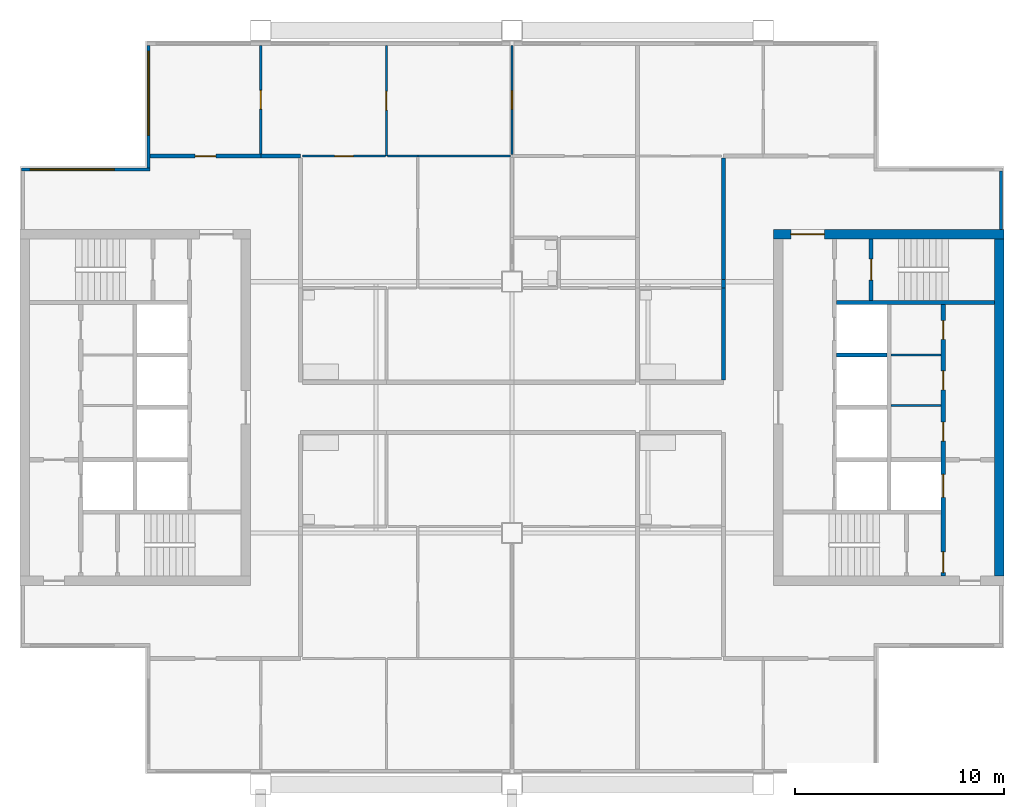
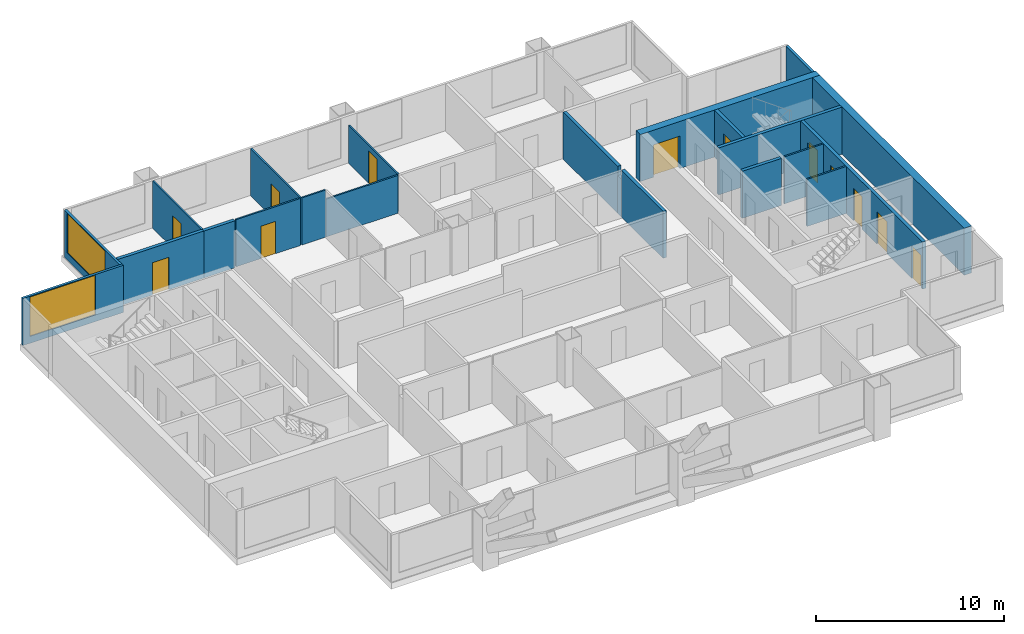
# One storey, part 5 of 8: 22 walls, 12 doors, 2 windows, 14 openings.
"""IFC4 building model written with IfcOpenShell, lengths in metres."""

from ifc_helpers import new_model, si_unit, direction, frame, frame_2d, origin, place, context, subcontext, project, spatial, rectangle, extrude, material, layer, layer_set, type_object, element, fill, save


model = new_model("IFC4")

# Units and contexts
model_context = context("Model", 3, precision=1e-05, world=origin(), true_north=direction((0.0, 1.0)))
body_context = subcontext(model_context, "Body", "Model", "MODEL_VIEW")
ifc_project = project(units=[si_unit("LENGTHUNIT", "METRE"), si_unit("AREAUNIT", "SQUARE_METRE"), si_unit("VOLUMEUNIT", "CUBIC_METRE"), si_unit("PLANEANGLEUNIT", "RADIAN"), si_unit("MASSUNIT", "GRAM", prefix="KILO")], contexts=[model_context])

# Site, building, storey
site_placement = place(None, origin())
site = spatial("IfcSite", under=ifc_project, at=site_placement, CompositionType="ELEMENT")
building_placement = place(site_placement, origin())
building = spatial("IfcBuilding", under=site, at=building_placement, Name="Kitamizu Gate Tower and Museum", CompositionType="ELEMENT")
storey_placement = place(building_placement, frame((0.0, 0.0, 266.25)))
storey = spatial("IfcBuildingStorey", under=building, at=storey_placement, Name="L72", CompositionType="ELEMENT", Elevation=266.25)

# Wall, opening, door
ifc_material_1 = material(Name="Concrete Fc42", Category="concrete")
ifc_layer_1 = layer(ifc_material_1, 0.449951171875)
ifc_layer_set_1 = layer_set([ifc_layer_1], Name="Concrete Fc42")
wall_type_1 = type_object("IfcWallType", Name="Core wall 450 EI 90", PredefinedType="SHEAR", material=ifc_layer_set_1)
wall_1_placement = place(storey_placement, frame((59.5, 38.27490234375, 0.0), z_axis=(0.0, 0.0, 1.0), x_axis=(-1.0, 0.0, 0.0)))
wall_1 = element("IfcWall", 1, at=wall_1_placement, inside=storey, type_object=wall_type_1, Name="Core wall EN", PredefinedType="SHEAR", context=body_context, shape_type="SweptSolid", body=[
    extrude(rectangle(XDim=11.0, YDim=0.449951171875, at=frame_2d((5.5, 0.0))), origin(), (0.0, 0.0, 1.0), 3.050048828125),
])
opening_1_placement = place(wall_1_placement, frame((8.574951171875, 0.0, 0.0)))
opening_1 = element("IfcOpeningElement", 2, at=opening_1_placement, cuts=wall_1, Name="Opening L72-046", PredefinedType="OPENING", context=body_context, shape_type="SweptSolid", body=[
    extrude(rectangle(XDim=1.60009765625, YDim=2.10009765625, at=frame_2d((0.800048828125, 1.050048828125))), frame((0.0, 0.23486328125, 0.0), z_axis=(0.0, -1.0, 0.0), x_axis=(1.0, 0.0, 0.0)), (0.0, 0.0, 1.0), 0.469970703125),
])
ifc_material_2 = material(Name="Timber door set", Category="wood")
door_type_1 = type_object("IfcDoorType", Name="Entrance door 1600", OperationType="DOUBLE_DOOR_SINGLE_SWING", PredefinedType="DOOR", material=ifc_material_2)
door_1_placement = place(opening_1_placement, origin())
door_1 = element("IfcDoor", 3, at=door_1_placement, inside=storey, type_object=door_type_1, Name="Lobby door L72-046", OperationType="DOUBLE_DOOR_SINGLE_SWING", OverallHeight=2.10009765625, OverallWidth=1.60009765625, PredefinedType="DOOR", context=body_context, shape_type="SweptSolid", body=[
    extrude(rectangle(XDim=1.60009765625, YDim=2.10009765625, at=frame_2d((0.800048828125, 1.050048828125))), frame((0.0, 0.02490234375, 0.0), z_axis=(0.0, -1.0, 0.0), x_axis=(1.0, 0.0, 0.0)), (0.0, 0.0, 1.0), 0.050048828125),
])
fill(opening_1, door_1)

# Walls
wall_2_placement = place(storey_placement, frame((59.27490234375, 21.949951171875, 0.0), z_axis=(0.0, 0.0, 1.0), x_axis=(0.0, 1.0, 0.0)))
element("IfcWall", 4, at=wall_2_placement, inside=storey, type_object=wall_type_1, Name="Core wall EOUT", PredefinedType="SHEAR", context=body_context, shape_type="SweptSolid", body=[
    extrude(rectangle(XDim=16.10009765625, YDim=0.449951171875, at=frame_2d((8.050048828125, 0.0))), origin(), (0.0, 0.0, 1.0), 3.050048828125),
])
ifc_material_3 = material(Name="Gypsum board on galvanised stud")
ifc_layer_2 = layer(ifc_material_3, 0.10009765625)
ifc_layer_set_2 = layer_set([ifc_layer_2], Name="Gypsum board on galvanised stud")
wall_type_2 = type_object("IfcWallType", Name="Partition 100", PredefinedType="PARTITIONING", material=ifc_layer_set_2)
for number, where, z_axis, x_axis, name in (
    (5, (56.5, 30.08203125, 0.0), (0.0, 0.0, 1.0), (-1.0, 0.0, 0.0), "Partition EPF1"),
    (6, (56.5, 32.490966796875, 0.0), (0.0, 0.0, 1.0), (-1.0, 0.0, 0.0), "Partition EPF2"),
):
    element("IfcWall", number, at=place(storey_placement, frame(where, z_axis=z_axis, x_axis=x_axis)), inside=storey, type_object=wall_type_2, Name=name, PredefinedType="PARTITIONING", context=body_context, shape_type="SweptSolid", body=[
        extrude(rectangle(XDim=2.39990234375, YDim=0.10009765625, at=frame_2d((1.199951171875, 0.0))), origin(), (0.0, 0.0, 1.0), 3.050048828125),
    ])

# Wall, opening, door
ifc_material_4 = material(Name="Gypsum board on galvanised stud")
ifc_layer_3 = layer(ifc_material_4, 0.10009765625)
ifc_layer_set_3 = layer_set([ifc_layer_3], Name="Gypsum board on galvanised stud")
wall_type_3 = type_object("IfcWallType", Name="Partition 100 NOT RATED", PredefinedType="PARTITIONING", material=ifc_layer_set_3)
wall_3_placement = place(storey_placement, frame((24.0, 42.10009765625, 0.0), z_axis=(0.0, 0.0, 1.0), x_axis=(0.0, 1.0, 0.0)))
wall_3 = element("IfcWall", 7, at=wall_3_placement, inside=storey, type_object=wall_type_3, Name="Partition L72-026", PredefinedType="PARTITIONING", context=body_context, shape_type="SweptSolid", body=[
    extrude(rectangle(XDim=5.179931640625, YDim=0.10009765625, at=frame_2d((2.58984375, 0.0))), origin(), (0.0, 0.0, 1.0), 3.050048828125),
])
opening_2_placement = place(wall_3_placement, frame((2.139892578125, 0.0, 0.0)))
opening_2 = element("IfcOpeningElement", 8, at=opening_2_placement, cuts=wall_3, Name="Opening L72-011", PredefinedType="OPENING", context=body_context, shape_type="SweptSolid", body=[
    extrude(rectangle(XDim=0.89990234375, YDim=2.10009765625, at=frame_2d((0.449951171875, 1.050048828125))), frame((0.0, 0.06005859375, 0.0), z_axis=(0.0, -1.0, 0.0), x_axis=(1.0, 0.0, 0.0)), (0.0, 0.0, 1.0), 0.1201171875),
])
ifc_material_5 = material(Name="Timber door set", Category="wood")
door_type_2 = type_object("IfcDoorType", Name="Room door 900", OperationType="NOTDEFINED", PredefinedType="DOOR", material=ifc_material_5)
door_2_placement = place(opening_2_placement, frame((0.89990234375, 0.0, 0.0), x_axis=(-1.0, 0.0, 0.0)))
door_2 = element("IfcDoor", 9, at=door_2_placement, inside=storey, type_object=door_type_2, Name="Door L72-011", OperationType="SINGLE_SWING_LEFT", OverallHeight=2.10009765625, OverallWidth=0.89990234375, PredefinedType="DOOR", context=body_context, shape_type="SweptSolid", body=[
    extrude(rectangle(XDim=0.89990234375, YDim=2.10009765625, at=frame_2d((0.449951171875, 1.050048828125))), frame((0.0, 0.02490234375, 0.0), z_axis=(0.0, -1.0, 0.0), x_axis=(1.0, 0.0, 0.0)), (0.0, 0.0, 1.0), 0.050048828125),
])
fill(opening_2, door_2)

wall_4_placement = place(storey_placement, frame((30.0, 42.0, 0.0), z_axis=(0.0, 0.0, 1.0), x_axis=(0.0, 1.0, 0.0)))
wall_4 = element("IfcWall", 10, at=wall_4_placement, inside=storey, type_object=wall_type_3, Name="Partition L72-028", PredefinedType="PARTITIONING", context=body_context, shape_type="SweptSolid", body=[
    extrude(rectangle(XDim=5.280029296875, YDim=0.10009765625, at=frame_2d((2.64013671875, 0.0))), origin(), (0.0, 0.0, 1.0), 3.050048828125),
])
opening_3_placement = place(wall_4_placement, frame((2.18994140625, 0.0, 0.0)))
opening_3 = element("IfcOpeningElement", 11, at=opening_3_placement, cuts=wall_4, Name="Opening L72-012", PredefinedType="OPENING", context=body_context, shape_type="SweptSolid", body=[
    extrude(rectangle(XDim=0.89990234375, YDim=2.10009765625, at=frame_2d((0.449951171875, 1.050048828125))), frame((0.0, 0.06005859375, 0.0), z_axis=(0.0, -1.0, 0.0), x_axis=(1.0, 0.0, 0.0)), (0.0, 0.0, 1.0), 0.1201171875),
])
door_3_placement = place(opening_3_placement, origin())
door_3 = element("IfcDoor", 12, at=door_3_placement, inside=storey, type_object=door_type_2, Name="Door L72-012", OperationType="SINGLE_SWING_LEFT", OverallHeight=2.10009765625, OverallWidth=0.89990234375, PredefinedType="DOOR", context=body_context, shape_type="SweptSolid", body=[
    extrude(rectangle(XDim=0.89990234375, YDim=2.10009765625, at=frame_2d((0.449951171875, 1.050048828125))), frame((0.0, 0.02490234375, 0.0), z_axis=(0.0, -1.0, 0.0), x_axis=(1.0, 0.0, 0.0)), (0.0, 0.0, 1.0), 0.050048828125),
])
fill(opening_3, door_3)

wall_5_placement = place(storey_placement, frame((26.0, 42.0, 0.0), z_axis=(0.0, 0.0, 1.0), x_axis=(1.0, 0.0, 0.0)))
wall_5 = element("IfcWall", 13, at=wall_5_placement, inside=storey, type_object=wall_type_3, Name="Partition L72-029", PredefinedType="PARTITIONING", context=body_context, shape_type="SweptSolid", body=[
    extrude(rectangle(XDim=3.949951171875, YDim=0.10009765625, at=frame_2d((1.97509765625, 0.0))), origin(), (0.0, 0.0, 1.0), 3.050048828125),
])
opening_4_placement = place(wall_5_placement, frame((1.52490234375, 0.0, 0.0)))
opening_4 = element("IfcOpeningElement", 14, at=opening_4_placement, cuts=wall_5, Name="Opening L72-014", PredefinedType="OPENING", context=body_context, shape_type="SweptSolid", body=[
    extrude(rectangle(XDim=0.89990234375, YDim=2.10009765625, at=frame_2d((0.449951171875, 1.050048828125))), frame((0.0, 0.06005859375, 0.0), z_axis=(0.0, -1.0, 0.0), x_axis=(1.0, 0.0, 0.0)), (0.0, 0.0, 1.0), 0.1201171875),
])
door_4_placement = place(opening_4_placement, origin())
door_4 = element("IfcDoor", 15, at=door_4_placement, inside=storey, type_object=door_type_2, Name="Door L72-014", OperationType="SINGLE_SWING_LEFT", OverallHeight=2.10009765625, OverallWidth=0.89990234375, PredefinedType="DOOR", context=body_context, shape_type="SweptSolid", body=[
    extrude(rectangle(XDim=0.89990234375, YDim=2.10009765625, at=frame_2d((0.449951171875, 1.050048828125))), frame((0.0, 0.02490234375, 0.0), z_axis=(0.0, -1.0, 0.0), x_axis=(1.0, 0.0, 0.0)), (0.0, 0.0, 1.0), 0.050048828125),
])
fill(opening_4, door_4)

wall_6_placement = place(storey_placement, frame((36.0, 42.074951171875, 0.0), z_axis=(0.0, 0.0, 1.0), x_axis=(0.0, 1.0, 0.0)))
wall_6 = element("IfcWall", 16, at=wall_6_placement, inside=storey, type_object=wall_type_3, Name="Partition L72-031", PredefinedType="PARTITIONING", context=body_context, shape_type="SweptSolid", body=[
    extrude(rectangle(XDim=5.205078125, YDim=0.10009765625, at=frame_2d((2.6025390625, 0.0))), origin(), (0.0, 0.0, 1.0), 2.449951171875),
])
opening_5_placement = place(wall_6_placement, frame((2.152587890625, 0.0, 0.0)))
opening_5 = element("IfcOpeningElement", 17, at=opening_5_placement, cuts=wall_6, Name="Opening L72-013", PredefinedType="OPENING", context=body_context, shape_type="SweptSolid", body=[
    extrude(rectangle(XDim=0.89990234375, YDim=2.10009765625, at=frame_2d((0.449951171875, 1.050048828125))), frame((0.0, 0.06005859375, 0.0), z_axis=(0.0, -1.0, 0.0), x_axis=(1.0, 0.0, 0.0)), (0.0, 0.0, 1.0), 0.1201171875),
])
door_5_placement = place(opening_5_placement, origin())
door_5 = element("IfcDoor", 18, at=door_5_placement, inside=storey, type_object=door_type_2, Name="Door L72-013", OperationType="SINGLE_SWING_RIGHT", OverallHeight=2.10009765625, OverallWidth=0.89990234375, PredefinedType="DOOR", context=body_context, shape_type="SweptSolid", body=[
    extrude(rectangle(XDim=0.89990234375, YDim=2.10009765625, at=frame_2d((0.449951171875, 1.050048828125))), frame((0.0, 0.02490234375, 0.0), z_axis=(0.0, -1.0, 0.0), x_axis=(1.0, 0.0, 0.0)), (0.0, 0.0, 1.0), 0.050048828125),
])
fill(opening_5, door_5)

# Walls
wall_7_placement = place(storey_placement, frame((30.050048828125, 42.0, 0.0), z_axis=(0.0, 0.0, 1.0), x_axis=(1.0, 0.0, 0.0)))
element("IfcWall", 19, at=wall_7_placement, inside=storey, type_object=wall_type_3, Name="Partition L72-032", PredefinedType="PARTITIONING", context=body_context, shape_type="SweptSolid", body=[
    extrude(rectangle(XDim=1.449951171875, YDim=0.10009765625, at=frame_2d((0.72509765625, 0.0))), origin(), (0.0, 0.0, 1.0), 3.050048828125),
])
wall_8_placement = place(storey_placement, frame((31.5, 42.0, 0.0), z_axis=(0.0, 0.0, 1.0), x_axis=(1.0, 0.0, 0.0)))
element("IfcWall", 20, at=wall_8_placement, inside=storey, type_object=wall_type_3, Name="Partition L72-033", PredefinedType="PARTITIONING", context=body_context, shape_type="SweptSolid", body=[
    extrude(rectangle(XDim=4.425048828125, YDim=0.10009765625, at=frame_2d((2.21240234375, 0.0))), origin(), (0.0, 0.0, 1.0), 2.449951171875),
])

# Wall, opening, door
ifc_material_6 = material(Name="Gypsum board on galvanised stud")
ifc_layer_4 = layer(ifc_material_6, 0.199951171875)
ifc_layer_set_4 = layer_set([ifc_layer_4], Name="Gypsum board on galvanised stud")
wall_type_4 = type_object("IfcWallType", Name="Partition 200", PredefinedType="PARTITIONING", material=ifc_layer_set_4)
wall_9_placement = place(storey_placement, frame((18.719970703125, 42.0, 0.0), z_axis=(0.0, 0.0, 1.0), x_axis=(1.0, 0.0, 0.0)))
wall_9 = element("IfcWall", 21, at=wall_9_placement, inside=storey, type_object=wall_type_4, Name="Partition L72-027", PredefinedType="PARTITIONING", context=body_context, shape_type="SweptSolid", body=[
    extrude(rectangle(XDim=5.280029296875, YDim=0.199951171875, at=frame_2d((2.64013671875, 0.0))), origin(), (0.0, 0.0, 1.0), 3.050048828125),
])
opening_6_placement = place(wall_9_placement, frame((2.139892578125, 0.0, 0.0)))
opening_6 = element("IfcOpeningElement", 22, at=opening_6_placement, cuts=wall_9, Name="Opening L72-010", PredefinedType="OPENING", context=body_context, shape_type="SweptSolid", body=[
    extrude(rectangle(XDim=1.0, YDim=2.10009765625, at=frame_2d((0.5, 1.050048828125))), frame((0.0, 0.10986328125, 0.0), z_axis=(0.0, -1.0, 0.0), x_axis=(1.0, 0.0, 0.0)), (0.0, 0.0, 1.0), 0.219970703125),
])
ifc_material_7 = material(Name="Timber door set", Category="wood")
door_type_3 = type_object("IfcDoorType", Name="Flat entrance door 1000", OperationType="NOTDEFINED", PredefinedType="DOOR", material=ifc_material_7)
door_6_placement = place(opening_6_placement, origin())
door_6 = element("IfcDoor", 23, at=door_6_placement, inside=storey, type_object=door_type_3, Name="Flat entrance door L72-010", OperationType="SINGLE_SWING_LEFT", OverallHeight=2.10009765625, OverallWidth=1.0, PredefinedType="DOOR", context=body_context, shape_type="SweptSolid", body=[
    extrude(rectangle(XDim=1.0, YDim=2.10009765625, at=frame_2d((0.5, 1.050048828125))), frame((0.0, 0.02490234375, 0.0), z_axis=(0.0, -1.0, 0.0), x_axis=(1.0, 0.0, 0.0)), (0.0, 0.0, 1.0), 0.050048828125),
])
fill(opening_6, door_6)

# Walls
wall_10_placement = place(storey_placement, frame((24.0, 42.0, 0.0), z_axis=(0.0, 0.0, 1.0), x_axis=(1.0, 0.0, 0.0)))
element("IfcWall", 24, at=wall_10_placement, inside=storey, type_object=wall_type_4, Name="Partition L72-030", PredefinedType="PARTITIONING", context=body_context, shape_type="SweptSolid", body=[
    extrude(rectangle(XDim=1.89990234375, YDim=0.199951171875, at=frame_2d((0.949951171875, 0.0))), origin(), (0.0, 0.0, 1.0), 3.050048828125),
])
wall_11_placement = place(storey_placement, frame((46.10009765625, 35.699951171875, 0.0), z_axis=(0.0, 0.0, 1.0), x_axis=(0.0, 1.0, 0.0)))
element("IfcWall", 25, at=wall_11_placement, inside=storey, type_object=wall_type_4, Name="Partition L72-072", PredefinedType="PARTITIONING", context=body_context, shape_type="SweptSolid", body=[
    extrude(rectangle(XDim=0.400146484375, YDim=0.199951171875, at=frame_2d((0.2001953125, 0.0))), origin(), (0.0, 0.0, 1.0), 2.449951171875),
])
wall_12_placement = place(storey_placement, frame((46.10009765625, 36.10009765625, 0.0), z_axis=(0.0, 0.0, 1.0), x_axis=(0.0, 1.0, 0.0)))
element("IfcWall", 26, at=wall_12_placement, inside=storey, type_object=wall_type_4, Name="Partition L72-073", PredefinedType="PARTITIONING", context=body_context, shape_type="SweptSolid", body=[
    extrude(rectangle(XDim=5.7998046875, YDim=0.199951171875, at=frame_2d((2.89990234375, 0.0))), origin(), (0.0, 0.0, 1.0), 3.050048828125),
])
wall_13_placement = place(storey_placement, frame((46.10009765625, 31.300048828125, 0.0), z_axis=(0.0, 0.0, 1.0), x_axis=(0.0, 1.0, 0.0)))
element("IfcWall", 27, at=wall_13_placement, inside=storey, type_object=wall_type_4, Name="Partition L72-075", PredefinedType="PARTITIONING", context=body_context, shape_type="SweptSolid", body=[
    extrude(rectangle(XDim=4.39990234375, YDim=0.199951171875, at=frame_2d((2.199951171875, 0.0))), origin(), (0.0, 0.0, 1.0), 3.050048828125),
])

# Wall, openings, doors
ifc_material_8 = material(Name="Concrete Fc42", Category="concrete")
ifc_layer_5 = layer(ifc_material_8, 0.199951171875)
ifc_layer_set_5 = layer_set([ifc_layer_5], Name="Concrete Fc42")
wall_type_5 = type_object("IfcWallType", Name="Shaft wall 200", PredefinedType="SOLIDWALL", material=ifc_layer_set_5)
wall_14_placement = place(storey_placement, frame((56.60009765625, 21.949951171875, 0.0), z_axis=(0.0, 0.0, 1.0), x_axis=(0.0, 1.0, 0.0)))
wall_14 = element("IfcWall", 28, at=wall_14_placement, inside=storey, type_object=wall_type_5, Name="Shaft wall EWEST", PredefinedType="SOLIDWALL", context=body_context, shape_type="SweptSolid", body=[
    extrude(rectangle(XDim=12.949951171875, YDim=0.199951171875, at=frame_2d((6.47509765625, 0.0))), origin(), (0.0, 0.0, 1.0), 3.050048828125),
])
opening_7_placement = place(wall_14_placement, frame((3.75, 0.0, 0.0)))
opening_7 = element("IfcOpeningElement", 29, at=opening_7_placement, cuts=wall_14, Name="Opening LD", PredefinedType="OPENING", context=body_context, shape_type="SweptSolid", body=[
    extrude(rectangle(XDim=1.10009765625, YDim=2.10009765625, at=frame_2d((0.550048828125, 1.050048828125))), frame((0.0, 0.10986328125, 0.0), z_axis=(0.0, -1.0, 0.0), x_axis=(1.0, 0.0, 0.0)), (0.0, 0.0, 1.0), 0.219970703125),
])
opening_8_placement = place(wall_14_placement, frame((0.14990234375, 0.0, 0.0)))
opening_8 = element("IfcOpeningElement", 30, at=opening_8_placement, cuts=wall_14, Name="Opening L72-041", PredefinedType="OPENING", context=body_context, shape_type="SweptSolid", body=[
    extrude(rectangle(XDim=1.0, YDim=2.10009765625, at=frame_2d((0.5, 1.050048828125))), frame((0.0, 0.10986328125, 0.0), z_axis=(0.0, -1.0, 0.0), x_axis=(1.0, 0.0, 0.0)), (0.0, 0.0, 1.0), 0.219970703125),
])
opening_9_placement = place(wall_14_placement, frame((6.44091796875, 0.0, 0.0)))
opening_9 = element("IfcOpeningElement", 31, at=opening_9_placement, cuts=wall_14, Name="Opening L72-048", PredefinedType="OPENING", context=body_context, shape_type="SweptSolid", body=[
    extrude(rectangle(XDim=0.89990234375, YDim=2.10009765625, at=frame_2d((0.449951171875, 1.050048828125))), frame((0.0, 0.10986328125, 0.0), z_axis=(0.0, -1.0, 0.0), x_axis=(1.0, 0.0, 0.0)), (0.0, 0.0, 1.0), 0.219970703125),
])
opening_10_placement = place(wall_14_placement, frame((8.886474609375, 0.0, 0.0)))
opening_10 = element("IfcOpeningElement", 32, at=opening_10_placement, cuts=wall_14, Name="Opening L72-049", PredefinedType="OPENING", context=body_context, shape_type="SweptSolid", body=[
    extrude(rectangle(XDim=0.89990234375, YDim=2.10009765625, at=frame_2d((0.449951171875, 1.050048828125))), frame((0.0, 0.10986328125, 0.0), z_axis=(0.0, -1.0, 0.0), x_axis=(1.0, 0.0, 0.0)), (0.0, 0.0, 1.0), 0.219970703125),
])
opening_11_placement = place(wall_14_placement, frame((11.29541015625, 0.0, 0.0)))
opening_11 = element("IfcOpeningElement", 33, at=opening_11_placement, cuts=wall_14, Name="Opening L72-050", PredefinedType="OPENING", context=body_context, shape_type="SweptSolid", body=[
    extrude(rectangle(XDim=0.89990234375, YDim=2.10009765625, at=frame_2d((0.449951171875, 1.050048828125))), frame((0.0, 0.10986328125, 0.0), z_axis=(0.0, -1.0, 0.0), x_axis=(1.0, 0.0, 0.0)), (0.0, 0.0, 1.0), 0.219970703125),
])
ifc_material_9 = material(Name="Hollow metal door set")
door_type_4 = type_object("IfcDoorType", Name="Fire door 1000", OperationType="NOTDEFINED", PredefinedType="DOOR", material=ifc_material_9)
door_7_placement = place(opening_8_placement, origin())
door_7 = element("IfcDoor", 34, at=door_7_placement, inside=storey, type_object=door_type_4, Name="Stair lobby door L72-041", OperationType="SINGLE_SWING_RIGHT", OverallHeight=2.10009765625, OverallWidth=1.0, PredefinedType="DOOR", context=body_context, shape_type="SweptSolid", body=[
    extrude(rectangle(XDim=1.0, YDim=2.10009765625, at=frame_2d((0.5, 1.050048828125))), frame((0.0, 0.02490234375, 0.0), z_axis=(0.0, -1.0, 0.0), x_axis=(1.0, 0.0, 0.0)), (0.0, 0.0, 1.0), 0.050048828125),
])
fill(opening_8, door_7)
ifc_material_10 = material(Name="Hollow metal door set")
door_type_5 = type_object("IfcDoorType", Name="Landing door 1100", OperationType="SLIDING_TO_LEFT", PredefinedType="DOOR", material=ifc_material_10)
door_8_placement = place(opening_7_placement, origin())
door_8 = element("IfcDoor", 35, at=door_8_placement, inside=storey, type_object=door_type_5, Name="Landing door EFF1", OperationType="SLIDING_TO_LEFT", OverallHeight=2.10009765625, OverallWidth=1.10009765625, PredefinedType="DOOR", context=body_context, shape_type="SweptSolid", body=[
    extrude(rectangle(XDim=1.10009765625, YDim=2.10009765625, at=frame_2d((0.550048828125, 1.050048828125))), frame((0.0, 0.02490234375, 0.0), z_axis=(0.0, -1.0, 0.0), x_axis=(1.0, 0.0, 0.0)), (0.0, 0.0, 1.0), 0.050048828125),
])
fill(opening_7, door_8)
ifc_material_11 = material(Name="Timber door set", Category="wood")
door_type_6 = type_object("IfcDoorType", Name="Service door 900", OperationType="NOTDEFINED", PredefinedType="DOOR", material=ifc_material_11)
door_9_placement = place(opening_9_placement, origin())
door_9 = element("IfcDoor", 36, at=door_9_placement, inside=storey, type_object=door_type_6, Name="Service door L72-048", OperationType="SINGLE_SWING_LEFT", OverallHeight=2.10009765625, OverallWidth=0.89990234375, PredefinedType="DOOR", context=body_context, shape_type="SweptSolid", body=[
    extrude(rectangle(XDim=0.89990234375, YDim=2.10009765625, at=frame_2d((0.449951171875, 1.050048828125))), frame((0.0, 0.02490234375, 0.0), z_axis=(0.0, -1.0, 0.0), x_axis=(1.0, 0.0, 0.0)), (0.0, 0.0, 1.0), 0.050048828125),
])
fill(opening_9, door_9)
door_10_placement = place(opening_10_placement, origin())
door_10 = element("IfcDoor", 37, at=door_10_placement, inside=storey, type_object=door_type_6, Name="Service door L72-049", OperationType="SINGLE_SWING_RIGHT", OverallHeight=2.10009765625, OverallWidth=0.89990234375, PredefinedType="DOOR", context=body_context, shape_type="SweptSolid", body=[
    extrude(rectangle(XDim=0.89990234375, YDim=2.10009765625, at=frame_2d((0.449951171875, 1.050048828125))), frame((0.0, 0.02490234375, 0.0), z_axis=(0.0, -1.0, 0.0), x_axis=(1.0, 0.0, 0.0)), (0.0, 0.0, 1.0), 0.050048828125),
])
fill(opening_10, door_10)
door_11_placement = place(opening_11_placement, origin())
door_11 = element("IfcDoor", 38, at=door_11_placement, inside=storey, type_object=door_type_6, Name="Service door L72-050", OperationType="SINGLE_SWING_LEFT", OverallHeight=2.10009765625, OverallWidth=0.89990234375, PredefinedType="DOOR", context=body_context, shape_type="SweptSolid", body=[
    extrude(rectangle(XDim=0.89990234375, YDim=2.10009765625, at=frame_2d((0.449951171875, 1.050048828125))), frame((0.0, 0.02490234375, 0.0), z_axis=(0.0, -1.0, 0.0), x_axis=(1.0, 0.0, 0.0)), (0.0, 0.0, 1.0), 0.050048828125),
])
fill(opening_11, door_11)

# Wall
wall_15_placement = place(storey_placement, frame((59.050048828125, 35.0, 0.0), z_axis=(0.0, 0.0, 1.0), x_axis=(-1.0, 0.0, 0.0)))
element("IfcWall", 39, at=wall_15_placement, inside=storey, type_object=wall_type_5, Name="Shaft wall ENB", PredefinedType="SOLIDWALL", context=body_context, shape_type="SweptSolid", body=[
    extrude(rectangle(XDim=7.550048828125, YDim=0.199951171875, at=frame_2d((3.77490234375, 0.0))), origin(), (0.0, 0.0, 1.0), 3.050048828125),
])

# Wall, opening, door
wall_16_placement = place(storey_placement, frame((53.14990234375, 35.10009765625, 0.0), z_axis=(0.0, 0.0, 1.0), x_axis=(0.0, 1.0, 0.0)))
wall_16 = element("IfcWall", 40, at=wall_16_placement, inside=storey, type_object=wall_type_5, Name="Shaft wall ENZ", PredefinedType="SOLIDWALL", context=body_context, shape_type="SweptSolid", body=[
    extrude(rectangle(XDim=2.949951171875, YDim=0.199951171875, at=frame_2d((1.47509765625, 0.0))), origin(), (0.0, 0.0, 1.0), 3.050048828125),
])
opening_12_placement = place(wall_16_placement, frame((0.97509765625, 0.0, 0.0)))
opening_12 = element("IfcOpeningElement", 41, at=opening_12_placement, cuts=wall_16, Name="Opening L72-043", PredefinedType="OPENING", context=body_context, shape_type="SweptSolid", body=[
    extrude(rectangle(XDim=1.0, YDim=2.10009765625, at=frame_2d((0.5, 1.050048828125))), frame((0.0, 0.10986328125, 0.0), z_axis=(0.0, -1.0, 0.0), x_axis=(1.0, 0.0, 0.0)), (0.0, 0.0, 1.0), 0.219970703125),
])
door_12_placement = place(opening_12_placement, frame((1.0, 0.0, 0.0), x_axis=(-1.0, 0.0, 0.0)))
door_12 = element("IfcDoor", 42, at=door_12_placement, inside=storey, type_object=door_type_4, Name="Stair door L72-043", OperationType="SINGLE_SWING_LEFT", OverallHeight=2.10009765625, OverallWidth=1.0, PredefinedType="DOOR", context=body_context, shape_type="SweptSolid", body=[
    extrude(rectangle(XDim=1.0, YDim=2.10009765625, at=frame_2d((0.5, 1.050048828125))), frame((0.0, 0.02490234375, 0.0), z_axis=(0.0, -1.0, 0.0), x_axis=(1.0, 0.0, 0.0)), (0.0, 0.0, 1.0), 0.050048828125),
])
fill(opening_12, door_12)

# Walls
wall_17_placement = place(storey_placement, frame((53.89990234375, 32.5, 0.0), z_axis=(0.0, 0.0, 1.0), x_axis=(-1.0, 0.0, 0.0)))
element("IfcWall", 43, at=wall_17_placement, inside=storey, type_object=wall_type_5, Name="Shaft wall EDVE2", PredefinedType="SOLIDWALL", context=body_context, shape_type="SweptSolid", body=[
    extrude(rectangle(XDim=2.39990234375, YDim=0.199951171875, at=frame_2d((1.199951171875, 0.0))), origin(), (0.0, 0.0, 1.0), 3.050048828125),
])
ifc_material_12 = material(Name="Bronze anodised aluminium frame with insulated spandrel and tinted glass", Category="aluminium")
ifc_layer_6 = layer(ifc_material_12, 0.14990234375)
ifc_layer_set_6 = layer_set([ifc_layer_6], Name="Bronze anodised aluminium frame with insulated spandrel and tinted glass")
wall_type_6 = type_object("IfcWallType", Name="WINDOW WALL 150 BRONZE FRAME EI 30", PredefinedType="ELEMENTEDWALL", material=ifc_layer_set_6)
wall_18_placement = place(storey_placement, frame((59.364990234375, 38.5, 0.0), z_axis=(0.0, 0.0, 1.0), x_axis=(0.0, 1.0, 0.0)))
element("IfcWall", 44, at=wall_18_placement, inside=storey, type_object=wall_type_6, Name="Window wall east L72", PredefinedType="ELEMENTEDWALL", context=body_context, shape_type="SweptSolid", body=[
    extrude(rectangle(XDim=2.7900390625, YDim=0.14990234375, at=frame_2d((1.39501953125, 0.0))), origin(), (0.0, 0.0, 1.0), 3.050048828125),
])

# Wall, opening, window
wall_19_placement = place(storey_placement, frame((18.635009765625, 41.43994140625, 0.0), z_axis=(0.0, 0.0, 1.0), x_axis=(0.0, 1.0, 0.0)))
wall_19 = element("IfcWall", 45, at=wall_19_placement, inside=storey, type_object=wall_type_6, Name="Window wall west L72", PredefinedType="ELEMENTEDWALL", context=body_context, shape_type="SweptSolid", body=[
    extrude(rectangle(XDim=5.85009765625, YDim=0.14990234375, at=frame_2d((2.925048828125, 0.0))), origin(), (0.0, 0.0, 1.0), 3.050048828125),
])
opening_13_placement = place(wall_19_placement, frame((1.56005859375, 0.0, 0.449951171875)))
opening_13 = element("IfcOpeningElement", 46, at=opening_13_placement, cuts=wall_19, Name="Opening W16", PredefinedType="OPENING", context=body_context, shape_type="SweptSolid", body=[
    extrude(rectangle(XDim=4.0, YDim=2.550048828125, at=frame_2d((2.0, 1.27490234375))), frame((0.0, 0.0849609375, 0.0), z_axis=(0.0, -1.0, 0.0), x_axis=(1.0, 0.0, 0.0)), (0.0, 0.0, 1.0), 0.169921875),
])
ifc_material_13 = material(Name="Bronze anodised aluminium frame, tinted triple glazing", Category="aluminium")
window_type = type_object("IfcWindowType", Name="WINDOW 4000 x 2550 SILL 450", PartitioningType="SINGLE_PANEL", PredefinedType="WINDOW", material=ifc_material_13)
window_1_placement = place(opening_13_placement, origin())
window_1 = element("IfcWindow", 47, at=window_1_placement, inside=storey, type_object=window_type, Name="Window W16 L72", OverallHeight=2.550048828125, OverallWidth=4.0, PartitioningType="SINGLE_PANEL", PredefinedType="WINDOW", context=body_context, shape_type="SweptSolid", body=[
    extrude(rectangle(XDim=4.0, YDim=2.550048828125, at=frame_2d((2.0, 1.27490234375))), frame((0.0, 0.030029296875, 0.0), z_axis=(0.0, -1.0, 0.0), x_axis=(1.0, 0.0, 0.0)), (0.0, 0.0, 1.0), 0.06005859375),
])
fill(opening_13, window_1)

wall_20_placement = place(storey_placement, frame((12.56005859375, 41.364990234375, 0.0), z_axis=(0.0, 0.0, 1.0), x_axis=(1.0, 0.0, 0.0)))
wall_20 = element("IfcWall", 48, at=wall_20_placement, inside=storey, type_object=wall_type_6, Name="Window wall north L72", PredefinedType="ELEMENTEDWALL", context=body_context, shape_type="SweptSolid", body=[
    extrude(rectangle(XDim=6.14990234375, YDim=0.14990234375, at=frame_2d((3.074951171875, 0.0))), origin(), (0.0, 0.0, 1.0), 3.050048828125),
])
opening_14_placement = place(wall_20_placement, frame((0.43994140625, 0.0, 0.449951171875)))
opening_14 = element("IfcOpeningElement", 49, at=opening_14_placement, cuts=wall_20, Name="Opening W16", PredefinedType="OPENING", context=body_context, shape_type="SweptSolid", body=[
    extrude(rectangle(XDim=4.0, YDim=2.550048828125, at=frame_2d((2.0, 1.27490234375))), frame((0.0, 0.0849609375, 0.0), z_axis=(0.0, -1.0, 0.0), x_axis=(1.0, 0.0, 0.0)), (0.0, 0.0, 1.0), 0.169921875),
])
window_2_placement = place(opening_14_placement, origin())
window_2 = element("IfcWindow", 50, at=window_2_placement, inside=storey, type_object=window_type, Name="Window W16 L72", OverallHeight=2.550048828125, OverallWidth=4.0, PartitioningType="SINGLE_PANEL", PredefinedType="WINDOW", context=body_context, shape_type="SweptSolid", body=[
    extrude(rectangle(XDim=4.0, YDim=2.550048828125, at=frame_2d((2.0, 1.27490234375))), frame((0.0, 0.030029296875, 0.0), z_axis=(0.0, -1.0, 0.0), x_axis=(1.0, 0.0, 0.0)), (0.0, 0.0, 1.0), 0.06005859375),
])
fill(opening_14, window_2)

save(model, "model.ifc")
